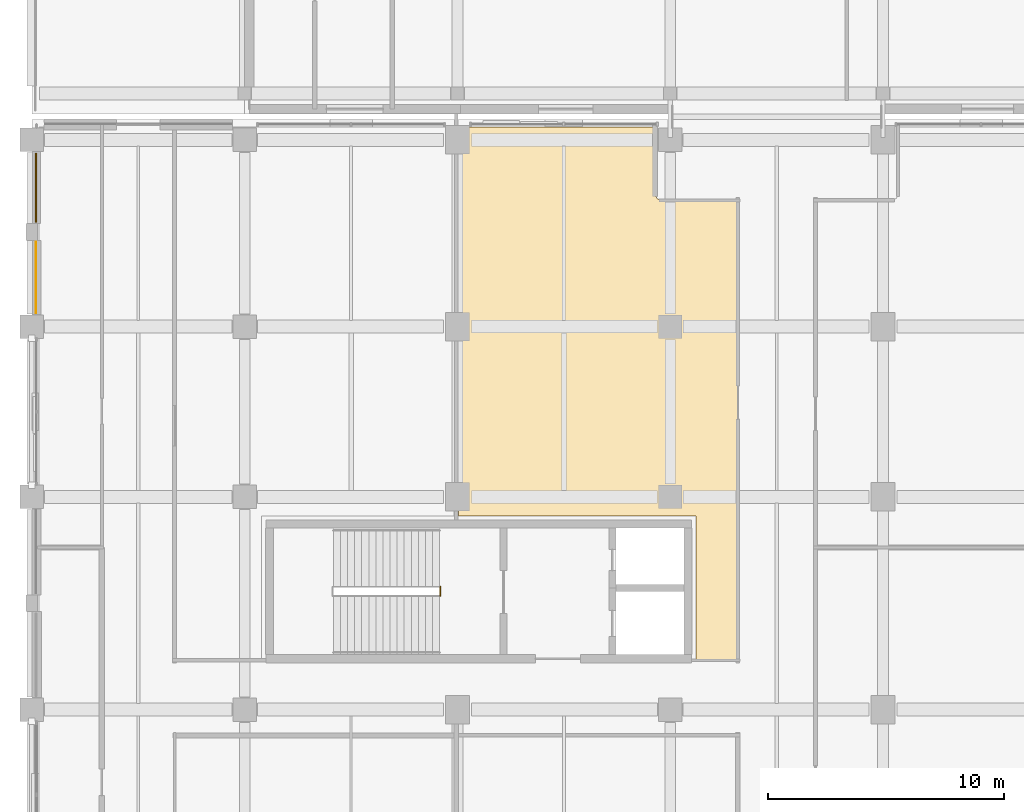
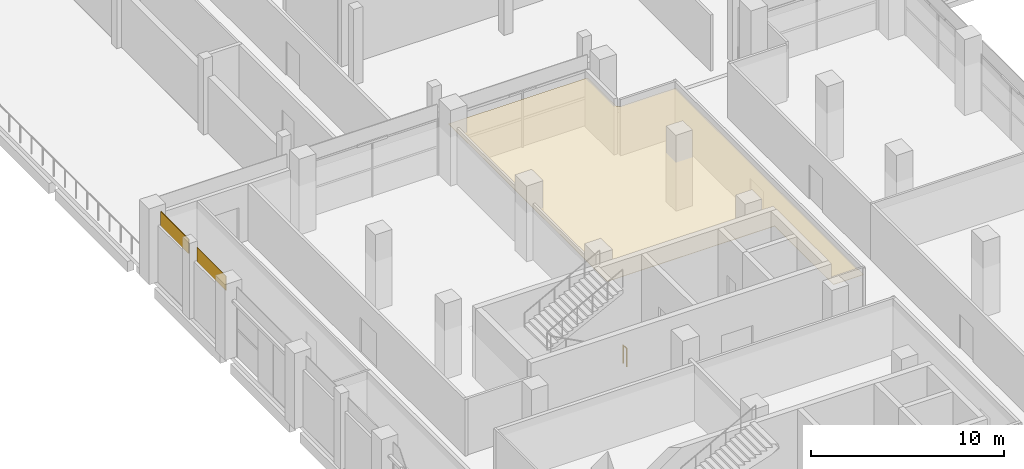
# One storey, part 97 of 111: 3 coverings, 1 railing.
"""IFC4 building model written with IfcOpenShell, lengths in metres."""

from ifc_helpers import new_model, si_unit, direction, frame, origin, origin_2d, place, context, subcontext, project, spatial, polyline, rectangle, circle, outline, extrude, material, layer, layer_set, type_object, element, save


model = new_model("IFC4")

# Units and contexts
model_context = context("Model", 3, precision=1e-05, world=origin(), true_north=direction((0.0, 1.0)))
body_context = subcontext(model_context, "Body", "Model", "MODEL_VIEW")
ifc_project = project(units=[si_unit("LENGTHUNIT", "METRE"), si_unit("AREAUNIT", "SQUARE_METRE"), si_unit("VOLUMEUNIT", "CUBIC_METRE"), si_unit("PLANEANGLEUNIT", "RADIAN"), si_unit("MASSUNIT", "GRAM", prefix="KILO"), si_unit("THERMODYNAMICTEMPERATUREUNIT", "KELVIN"), si_unit("POWERUNIT", "WATT")], contexts=[model_context])

# Site, building, storey
site_placement = place(None, origin())
site = spatial("IfcSite", under=ifc_project, at=site_placement, CompositionType="ELEMENT")
building_placement = place(site_placement, origin())
building = spatial("IfcBuilding", under=site, at=building_placement, Name="Sindhuravela Promenade Stadium", CompositionType="ELEMENT")
storey_placement = place(building_placement, frame((0.0, 0.0, 9.60009765625)))
storey = spatial("IfcBuildingStorey", under=building, at=storey_placement, Name="L02", CompositionType="ELEMENT", Elevation=9.60009765625)

# Coverings
ifc_material_1 = material(Name="Acoustic mineral-fibre ceiling tile", Category="gypsum")
ifc_layer_1 = layer(ifc_material_1, 0.02490234375)
ifc_layer_set_1 = layer_set([ifc_layer_1], Name="Acoustic mineral-fibre ceiling tile")
covering_type_1 = type_object("IfcCoveringType", Name="CV-CEIL-1", PredefinedType="CEILING", material=ifc_layer_set_1)
covering_1_placement = place(storey_placement, frame((0.0, 0.0, 3.0498046875)))
element("IfcCovering", 1, at=covering_1_placement, inside=storey, type_object=covering_type_1, Name="Acoustic ceiling VIP Coat and Concierge Room", PredefinedType="CEILING", context=body_context, shape_type="SweptSolid", body=[
    extrude(outline(polyline([(26.3798828125, 122.58056640625), (26.381103515625, 122.558349609375), (26.38427734375, 122.537109375), (26.389404296875, 122.51611328125), (26.396728515625, 122.495849609375), (26.406005859375, 122.476318359375), (26.4169921875, 122.457763671875), (26.429931640625, 122.4404296875), (26.444580078125, 122.424560546875), (26.46044921875, 122.409912109375), (26.477783203125, 122.397216796875), (26.496337890625, 122.385986328125), (26.515869140625, 122.376708984375), (26.5361328125, 122.369384765625), (26.55712890625, 122.3642578125), (26.578369140625, 122.361083984375), (26.6005859375, 122.360107421875), (29.860107421875, 122.360107421875), (29.862060546875, 122.35986328125), (29.864013671875, 122.359619140625), (29.86572265625, 122.359130859375), (29.86767578125, 122.3583984375), (29.869384765625, 122.357666015625), (29.87109375, 122.356689453125), (29.872802734375, 122.35546875), (29.8740234375, 122.35400390625), (29.87548828125, 122.352783203125), (29.876708984375, 122.35107421875), (29.877685546875, 122.349365234375), (29.87841796875, 122.34765625), (29.879150390625, 122.345703125), (29.879638671875, 122.343994140625), (29.8798828125, 122.342041015625), (29.8798828125, 122.340087890625), (29.8798828125, 102.889892578125), (29.8798828125, 102.887939453125), (29.879638671875, 102.885986328125), (29.879150390625, 102.88427734375), (29.87841796875, 102.88232421875), (29.877685546875, 102.880615234375), (29.876708984375, 102.87890625), (29.87548828125, 102.877197265625), (29.8740234375, 102.8759765625), (29.872802734375, 102.87451171875), (29.87109375, 102.873291015625), (29.869384765625, 102.872314453125), (29.86767578125, 102.87158203125), (29.86572265625, 102.870849609375), (29.864013671875, 102.870361328125), (29.862060546875, 102.8701171875), (29.860107421875, 102.8701171875), (28.10009765625, 102.8701171875), (28.097900390625, 102.8701171875), (28.09619140625, 102.870361328125), (28.09423828125, 102.870849609375), (28.09228515625, 102.87158203125), (28.090576171875, 102.872314453125), (28.0888671875, 102.873291015625), (28.08740234375, 102.87451171875), (28.0859375, 102.8759765625), (28.08447265625, 102.877197265625), (28.08349609375, 102.87890625), (28.08251953125, 102.880615234375), (28.08154296875, 102.88232421875), (28.080810546875, 102.88427734375), (28.080322265625, 102.885986328125), (28.080078125, 102.887939453125), (28.080078125, 102.889892578125), (28.080078125, 108.97998046875), (18.070068359375, 108.97998046875), (18.068115234375, 108.97998046875), (18.066162109375, 108.98046875), (18.064208984375, 108.98095703125), (18.062255859375, 108.9814453125), (18.060546875, 108.982421875), (18.058837890625, 108.9833984375), (18.057373046875, 108.984619140625), (18.055908203125, 108.98583984375), (18.054443359375, 108.9873046875), (18.053466796875, 108.989013671875), (18.052490234375, 108.990478515625), (18.051513671875, 108.9921875), (18.05078125, 108.994140625), (18.05029296875, 108.99609375), (18.050048828125, 108.998046875), (18.050048828125, 109.0), (18.050048828125, 125.429931640625), (18.050048828125, 125.431884765625), (18.05029296875, 125.433837890625), (18.05078125, 125.435791015625), (18.051513671875, 125.437744140625), (18.052490234375, 125.439453125), (18.053466796875, 125.441162109375), (18.054443359375, 125.442626953125), (18.055908203125, 125.444091796875), (18.057373046875, 125.445556640625), (18.058837890625, 125.446533203125), (18.060546875, 125.447509765625), (18.062255859375, 125.448486328125), (18.064208984375, 125.44921875), (18.066162109375, 125.44970703125), (18.068115234375, 125.449951171875), (18.070068359375, 125.449951171875), (26.360107421875, 125.449951171875), (26.362060546875, 125.449951171875), (26.364013671875, 125.44970703125), (26.36572265625, 125.44921875), (26.36767578125, 125.448486328125), (26.369384765625, 125.447509765625), (26.37109375, 125.446533203125), (26.372802734375, 125.445556640625), (26.3740234375, 125.444091796875), (26.37548828125, 125.442626953125), (26.376708984375, 125.441162109375), (26.377685546875, 125.439453125), (26.37841796875, 125.437744140625), (26.379150390625, 125.435791015625), (26.379638671875, 125.433837890625), (26.3798828125, 125.431884765625), (26.3798828125, 125.429931640625), (26.3798828125, 122.58056640625)])), origin(), (0.0, 0.0, 1.0), 0.025146484375),
])
ifc_material_2 = material(Name="Polychrome trencadis ceramic mosaic", Category="masonry")
ifc_layer_2 = layer(ifc_material_2, 0.034912109375)
ifc_layer_set_2 = layer_set([ifc_layer_2], Name="Polychrome trencadis ceramic mosaic")
covering_type_2 = type_object("IfcCoveringType", Name="CV-TRENC-1", PredefinedType="CLADDING", material=ifc_layer_set_2)
covering_2_placement = place(storey_placement, frame((0.179931640625, 119.074951171875, 3.5546875), z_axis=(0.0, 0.0, 1.0), x_axis=(0.0, 1.0, 0.0)))
element("IfcCovering", 2, at=covering_2_placement, inside=storey, type_object=covering_type_2, Name="Trencadis ceramic mosaic spandrel frieze WEST L02-42", PredefinedType="CLADDING", context=body_context, shape_type="SweptSolid", body=[
    extrude(rectangle(XDim=3.02001953125, YDim=0.034912109375, at=origin_2d()), origin(), (0.0, 0.0, 1.0), 0.905029296875),
])
ifc_layer_3 = layer(ifc_material_2, 0.050048828125)
ifc_layer_set_3 = layer_set([ifc_layer_3], Name="Polychrome trencadis ceramic mosaic")
covering_type_3 = type_object("IfcCoveringType", Name="CV-TRENC-2", PredefinedType="CLADDING", material=ifc_layer_set_3)
covering_3_placement = place(storey_placement, frame((0.179931640625, 122.875, 3.5546875), z_axis=(0.0, 0.0, 1.0), x_axis=(0.0, 1.0, 0.0)))
element("IfcCovering", 3, at=covering_3_placement, inside=storey, type_object=covering_type_3, Name="Trencadis ceramic mosaic spandrel frieze WEST L02-43", PredefinedType="CLADDING", context=body_context, shape_type="SweptSolid", body=[
    extrude(rectangle(XDim=2.919921875, YDim=0.050048828125, at=origin_2d()), origin(), (0.0, 0.0, 1.0), 0.905029296875),
])

# Railing
ifc_material_3 = material(Name="Architectural wrought steel E350", Category="steel")
railing_type = type_object("IfcRailingType", Name="RL-GRD-1150", PredefinedType="GUARDRAIL", material=ifc_material_3)
railing_placement = place(storey_placement, frame((17.280029296875, 105.610107421875, 0.0)))
element("IfcRailing", 4, at=railing_placement, inside=storey, type_object=railing_type, Name="Stair ST04 landing well slot guard (L02)", PredefinedType="GUARDRAIL", context=body_context, shape_type="SweptSolid", body=[
    extrude(circle(Radius=0.02392578125, at=origin_2d()), frame((0.0, 0.0, 1.1259765625), z_axis=(0.0, 1.0, 0.0), x_axis=(-1.0, 0.0, 0.0)), (0.0, 0.0, 1.0), 0.3798828125),
    extrude(circle(Radius=0.02099609375, at=origin_2d()), origin(), (0.0, 0.0, 1.0), 1.101806640625),
    extrude(circle(Radius=0.02099609375, at=origin_2d()), frame((0.0, 0.3798828125, 0.0)), (0.0, 0.0, 1.0), 1.101806640625),
])

save(model, "model.ifc")
